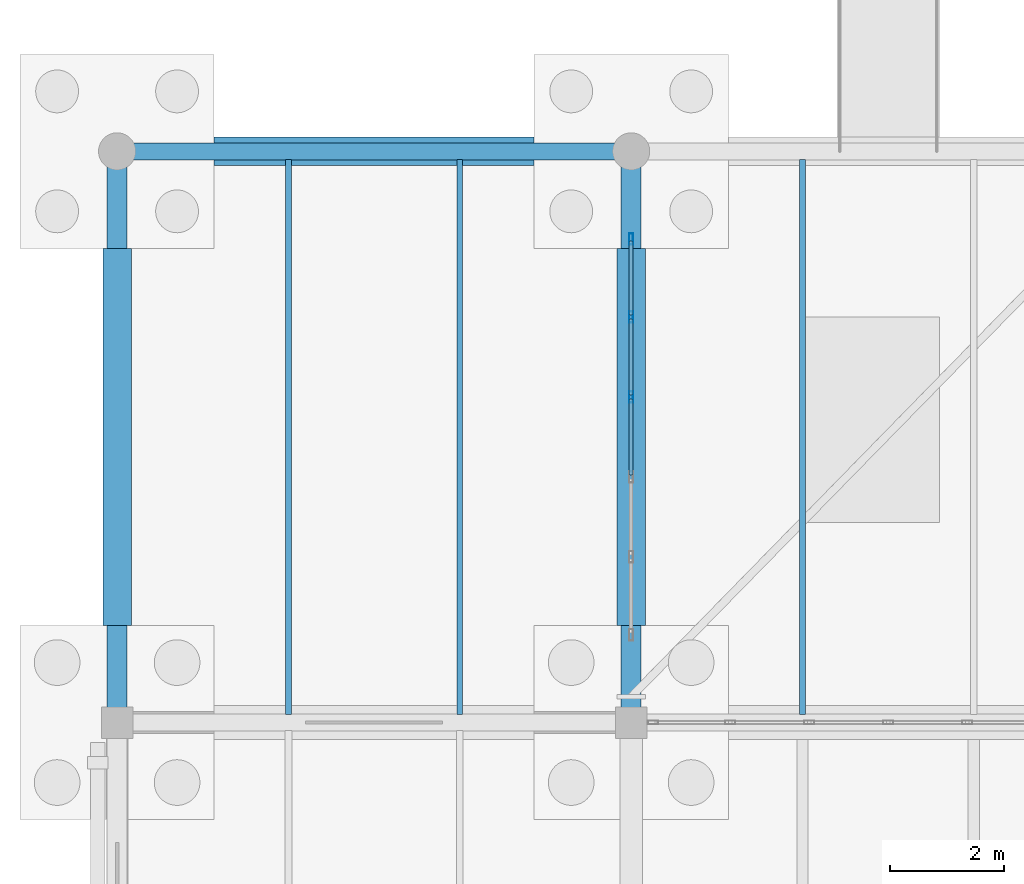
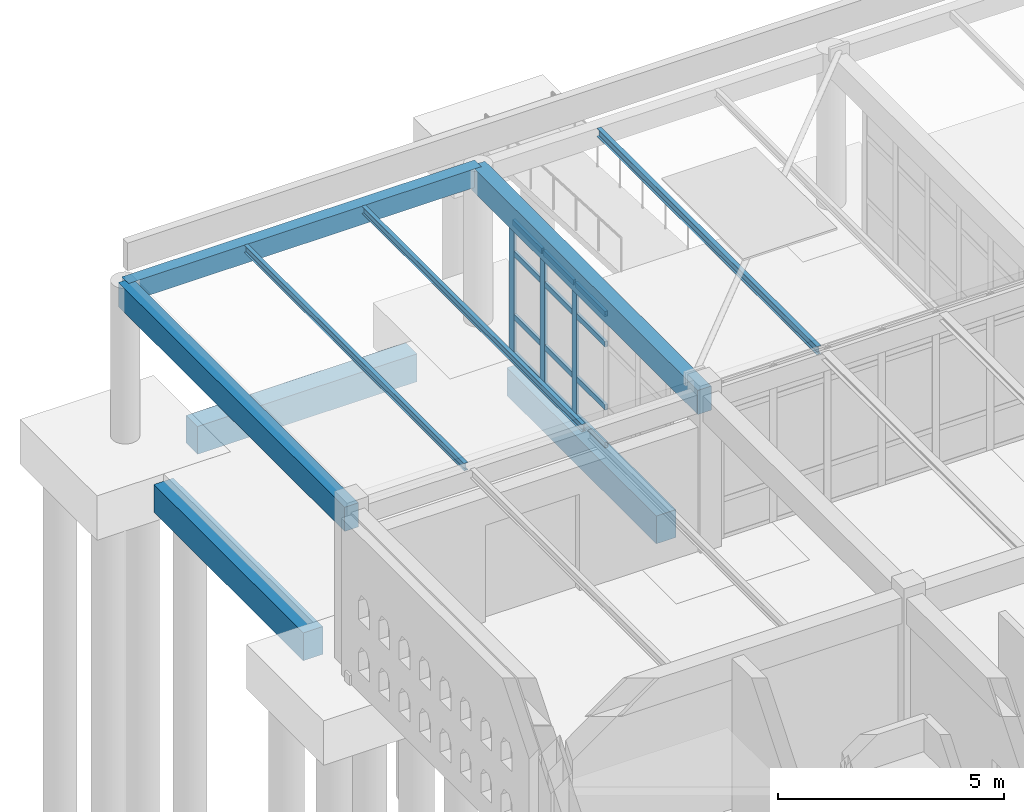
# One storey, part 69 of 186: 15 members, 9 beams, 1 element without a shape of its own.
"""IFC4 building model written with IfcOpenShell, lengths in metres."""

from ifc_helpers import new_model, si_unit, direction, frame, origin, origin_2d, place, context, subcontext, project, spatial, rectangle, hollow_rectangle, i_section, extrude, material, layer, layer_set, material_profile, profile_set, type_object, element, aggregate, save


model = new_model("IFC4")

# Units and contexts
model_context = context("Model", 3, precision=1e-05, world=origin(), true_north=direction((0.0, 1.0)))
body_context = subcontext(model_context, "Body", "Model", "MODEL_VIEW")
ifc_project = project(units=[si_unit("LENGTHUNIT", "METRE"), si_unit("AREAUNIT", "SQUARE_METRE"), si_unit("VOLUMEUNIT", "CUBIC_METRE"), si_unit("PLANEANGLEUNIT", "RADIAN"), si_unit("MASSUNIT", "GRAM", prefix="KILO")], contexts=[model_context])

# Site, building, storey
site_placement = place(None, origin())
site = spatial("IfcSite", under=ifc_project, at=site_placement, CompositionType="ELEMENT")
building_placement = place(site_placement, origin())
building = spatial("IfcBuilding", under=site, at=building_placement, Name="Ornek Quay Market", CompositionType="ELEMENT")
storey_placement = place(building_placement, origin())
storey = spatial("IfcBuildingStorey", under=building, at=storey_placement, Name="L00", CompositionType="ELEMENT", Elevation=0.0)

# Beams
ifc_material_1 = material(Name="Concrete C35/45", Category="concrete")
ifc_material_profile_1 = material_profile(ifc_material_1, rectangle(XDim=0.35009765625, YDim=0.64990234375, at=origin_2d()), Name="RC 350x650", Category="concrete")
ifc_profile_set_1 = profile_set([ifc_material_profile_1], Name="Concrete C35/45")
beam_type_1 = type_object("IfcBeamType", Name="BM-CONC-350x650", PredefinedType="BEAM", material=ifc_profile_set_1)
for number, where, z_axis, x_axis, name in (
    (1, (0.0, 110.0, 3.864990234375), (0.0, 1.0, 0.0), (-1.0, 0.0, 0.0), "Primary beam B-CN1-001"),
    (2, (9.0, 110.0, 3.864990234375), (0.0, 1.0, 0.0), (-1.0, 0.0, 0.0), "Primary beam B-CN1-002"),
):
    element("IfcBeam", number, at=place(storey_placement, frame(where, z_axis=z_axis, x_axis=x_axis)), inside=storey, type_object=beam_type_1, Name=name, PredefinedType="BEAM", context=body_context, shape_type="SweptSolid", body=[
        extrude(rectangle(XDim=0.35009765625, YDim=0.64990234375, at=origin_2d()), origin(), (0.0, 0.0, 1.0), 10.0),
    ])
ifc_material_profile_2 = material_profile(ifc_material_1, rectangle(XDim=0.5, YDim=0.75, at=origin_2d()), Name="RC 500x750", Category="concrete")
ifc_profile_set_2 = profile_set([ifc_material_profile_2], Name="Concrete C35/45")
beam_type_2 = type_object("IfcBeamType", Name="BM-GB-500x750", PredefinedType="BEAM", material=ifc_profile_set_2)
beam_1_placement = place(storey_placement, frame((1.699951171875, 120.0, -0.574951171875), z_axis=(1.0, 0.0, 0.0), x_axis=(0.0, 1.0, 0.0)))
element("IfcBeam", 3, at=beam_1_placement, inside=storey, type_object=beam_type_2, Name="Ground tie beam GB-048", PredefinedType="BEAM", context=body_context, shape_type="SweptSolid", body=[
    extrude(rectangle(XDim=0.5, YDim=0.75, at=origin_2d()), origin(), (0.0, 0.0, 1.0), 5.60009765625),
])
for number, where, z_axis, x_axis, name in (
    (4, (0.0, 111.699951171875, -0.574951171875), (0.0, 1.0, 0.0), (-1.0, 0.0, 0.0), "Ground tie beam GB-059"),
    (5, (9.0, 111.699951171875, -0.574951171875), (0.0, 1.0, 0.0), (-1.0, 0.0, 0.0), "Ground tie beam GB-065"),
):
    element("IfcBeam", number, at=place(storey_placement, frame(where, z_axis=z_axis, x_axis=x_axis)), inside=storey, type_object=beam_type_2, Name=name, PredefinedType="BEAM", context=body_context, shape_type="SweptSolid", body=[
        extrude(rectangle(XDim=0.5, YDim=0.75, at=origin_2d()), origin(), (0.0, 0.0, 1.0), 6.60009765625),
    ])
ifc_material_2 = material(Name="Steel S355", Category="steel")
ifc_material_profile_3 = material_profile(ifc_material_2, i_section(OverallWidth=0.10009765625, OverallDepth=0.199951171875, WebThickness=0.005615234375, FlangeThickness=0.008544921875, FilletRadius=0.011962890625, at=origin_2d()), Name="IPE 200", Category="steel")
ifc_profile_set_3 = profile_set([ifc_material_profile_3], Name="Steel S355")
beam_type_3 = type_object("IfcBeamType", Name="BM-STL-IPE200", PredefinedType="JOIST", material=ifc_profile_set_3)
for number, where, z_axis, x_axis, name in (
    (6, (3.0, 110.14208984375, 4.090087890625), (0.0, 1.0, 0.0), (-1.0, 0.0, 0.0), "Secondary joist SB-02-001"),
    (7, (6.0, 110.14208984375, 4.090087890625), (0.0, 1.0, 0.0), (-1.0, 0.0, 0.0), "Secondary joist SB-02-002"),
):
    element("IfcBeam", number, at=place(storey_placement, frame(where, z_axis=z_axis, x_axis=x_axis)), inside=storey, type_object=beam_type_3, Name=name, PredefinedType="JOIST", context=body_context, shape_type="SweptSolid", body=[
        extrude(i_section(OverallWidth=0.10009765625, OverallDepth=0.199951171875, WebThickness=0.005615234375, FlangeThickness=0.008544921875, FilletRadius=0.011962890625, at=origin_2d()), origin(), (0.0, 0.0, 1.0), 9.7158203125),
    ])
ifc_material_profile_4 = material_profile(ifc_material_2, i_section(OverallWidth=0.110107421875, OverallDepth=0.219970703125, WebThickness=0.005859375, FlangeThickness=0.00927734375, FilletRadius=0.011962890625, at=origin_2d()), Name="IPE 220", Category="steel")
ifc_profile_set_4 = profile_set([ifc_material_profile_4], Name="Steel S355")
beam_type_4 = type_object("IfcBeamType", Name="BM-STL-IPE220", PredefinedType="JOIST", material=ifc_profile_set_4)
beam_2_placement = place(storey_placement, frame((12.0, 110.14208984375, 4.080078125), z_axis=(0.0, 1.0, 0.0), x_axis=(-1.0, 0.0, 0.0)))
element("IfcBeam", 8, at=beam_2_placement, inside=storey, type_object=beam_type_4, Name="Secondary joist SB-03-001", PredefinedType="JOIST", context=body_context, shape_type="SweptSolid", body=[
    extrude(i_section(OverallWidth=0.110107421875, OverallDepth=0.219970703125, WebThickness=0.005859375, FlangeThickness=0.00927734375, FilletRadius=0.011962890625, at=origin_2d()), origin(), (0.0, 0.0, 1.0), 9.7158203125),
])
ifc_material_3 = material(Name="Concrete C40/50", Category="concrete")
ifc_material_profile_5 = material_profile(ifc_material_3, rectangle(XDim=0.300048828125, YDim=0.5, at=origin_2d()), Name="RC 300x500", Category="concrete")
ifc_profile_set_5 = profile_set([ifc_material_profile_5], Name="Concrete C40/50")
beam_type_5 = type_object("IfcBeamType", Name="BM-UMB-RIM-300x500", PredefinedType="SPANDREL", material=ifc_profile_set_5)
beam_3_placement = place(storey_placement, frame((0.0, 120.0, 3.93994140625), z_axis=(1.0, 0.0, 0.0), x_axis=(0.0, 1.0, 0.0)))
element("IfcBeam", 9, at=beam_3_placement, inside=storey, type_object=beam_type_5, Name="Primary beam B-UMR-007", PredefinedType="SPANDREL", context=body_context, shape_type="SweptSolid", body=[
    extrude(rectangle(XDim=0.300048828125, YDim=0.5, at=origin_2d()), origin(), (0.0, 0.0, 1.0), 9.0),
])

# Curtain wall, members
ifc_material_4 = material(Name="Anodised bronze aluminium and triple low-e glass", Category="aluminium")
ifc_layer = layer(ifc_material_4, 0.219970703125, Name="Anodised bronze aluminium and triple low-e glass", Category="aluminium")
ifc_layer_set = layer_set([ifc_layer], Name="Anodised bronze aluminium and triple low-e glass")
curtain_wall_type = type_object("IfcCurtainWallType", Name="CW-PORCH-MOD1500", PredefinedType="USERDEFINED", material=ifc_layer_set)
curtain_wall_placement = place(storey_placement, origin())
curtain_wall = element("IfcCurtainWall", 10, at=curtain_wall_placement, inside=storey, type_object=curtain_wall_type, Name="Curtain wall CW-147", ObjectType="CURTAIN WALL", PredefinedType="USERDEFINED")
ifc_material_5 = material(Name="Anodised aluminium 6063-T6", Category="aluminium")
ifc_material_profile_6 = material_profile(ifc_material_5, hollow_rectangle(XDim=0.070068359375, YDim=0.199951171875, WallThickness=0.0048828125, at=origin_2d()), Name="CW-MUL-70x200", Category="aluminium")
ifc_profile_set_6 = profile_set([ifc_material_profile_6], Name="Anodised aluminium 6063-T6")
member_type_1 = type_object("IfcMemberType", Name="CW-MUL-70x200", PredefinedType="MULLION", material=ifc_profile_set_6)
member_1_placement = place(storey_placement, frame((9.0, 115.699951171875, 0.0), z_axis=(0.0, 0.0, 1.0), x_axis=(-1.0, 0.0, 0.0)))
member_1 = element("IfcMember", 11, at=member_1_placement, type_object=member_type_1, Name="CW-147 mullion 4", PredefinedType="MULLION", context=body_context, shape_type="SweptSolid", body=[
    extrude(hollow_rectangle(XDim=0.070068359375, YDim=0.199951171875, WallThickness=0.0048828125, at=origin_2d()), origin(), (0.0, 0.0, 1.0), 3.60009765625),
])
member_2_placement = place(storey_placement, frame((9.0, 117.10009765625, 0.0), z_axis=(0.0, 0.0, 1.0), x_axis=(-1.0, 0.0, 0.0)))
member_2 = element("IfcMember", 12, at=member_2_placement, type_object=member_type_1, Name="CW-147 mullion 5", PredefinedType="MULLION", context=body_context, shape_type="SweptSolid", body=[
    extrude(hollow_rectangle(XDim=0.070068359375, YDim=0.199951171875, WallThickness=0.0048828125, at=origin_2d()), origin(), (0.0, 0.0, 1.0), 3.60009765625),
])
member_3_placement = place(storey_placement, frame((9.0, 118.465087890625, 0.0), z_axis=(0.0, 0.0, 1.0), x_axis=(-1.0, 0.0, 0.0)))
member_3 = element("IfcMember", 13, at=member_3_placement, type_object=member_type_1, Name="CW-147 mullion 6", PredefinedType="MULLION", context=body_context, shape_type="SweptSolid", body=[
    extrude(hollow_rectangle(XDim=0.070068359375, YDim=0.199951171875, WallThickness=0.0048828125, at=origin_2d()), origin(), (0.0, 0.0, 1.0), 3.60009765625),
])
ifc_material_profile_7 = material_profile(ifc_material_5, hollow_rectangle(XDim=0.070068359375, YDim=0.14990234375, WallThickness=0.0048828125, at=origin_2d()), Name="CW-TRN-70x150", Category="aluminium")
ifc_profile_set_7 = profile_set([ifc_material_profile_7], Name="Anodised aluminium 6063-T6")
member_type_2 = type_object("IfcMemberType", Name="CW-TRN-70x150", PredefinedType="USERDEFINED", material=ifc_profile_set_7)
member_4_placement = place(storey_placement, frame((9.0, 114.3349609375, 0.034912109375), z_axis=(0.0, 1.0, 0.0), x_axis=(-1.0, 0.0, 0.0)))
member_4 = element("IfcMember", 14, at=member_4_placement, type_object=member_type_2, Name="CW-147 transom 3.1", ObjectType="TRANSOM", PredefinedType="USERDEFINED", context=body_context, shape_type="SweptSolid", body=[
    extrude(hollow_rectangle(XDim=0.070068359375, YDim=0.14990234375, WallThickness=0.0048828125, at=origin_2d()), origin(), (0.0, 0.0, 1.0), 1.330078125),
])
member_5_placement = place(storey_placement, frame((9.0, 114.3349609375, 1.050048828125), z_axis=(0.0, 1.0, 0.0), x_axis=(-1.0, 0.0, 0.0)))
member_5 = element("IfcMember", 15, at=member_5_placement, type_object=member_type_2, Name="CW-147 transom 3.2", ObjectType="TRANSOM", PredefinedType="USERDEFINED", context=body_context, shape_type="SweptSolid", body=[
    extrude(hollow_rectangle(XDim=0.070068359375, YDim=0.14990234375, WallThickness=0.0048828125, at=origin_2d()), origin(), (0.0, 0.0, 1.0), 1.330078125),
])
member_6_placement = place(storey_placement, frame((9.0, 114.3349609375, 2.75), z_axis=(0.0, 1.0, 0.0), x_axis=(-1.0, 0.0, 0.0)))
member_6 = element("IfcMember", 16, at=member_6_placement, type_object=member_type_2, Name="CW-147 transom 3.3", ObjectType="TRANSOM", PredefinedType="USERDEFINED", context=body_context, shape_type="SweptSolid", body=[
    extrude(hollow_rectangle(XDim=0.070068359375, YDim=0.14990234375, WallThickness=0.0048828125, at=origin_2d()), origin(), (0.0, 0.0, 1.0), 1.330078125),
])
member_7_placement = place(storey_placement, frame((9.0, 114.3349609375, 3.56494140625), z_axis=(0.0, 1.0, 0.0), x_axis=(-1.0, 0.0, 0.0)))
member_7 = element("IfcMember", 17, at=member_7_placement, type_object=member_type_2, Name="CW-147 transom 3.4", ObjectType="TRANSOM", PredefinedType="USERDEFINED", context=body_context, shape_type="SweptSolid", body=[
    extrude(hollow_rectangle(XDim=0.070068359375, YDim=0.14990234375, WallThickness=0.0048828125, at=origin_2d()), origin(), (0.0, 0.0, 1.0), 1.330078125),
])
member_8_placement = place(storey_placement, frame((9.0, 115.735107421875, 0.034912109375), z_axis=(0.0, 1.0, 0.0), x_axis=(-1.0, 0.0, 0.0)))
member_8 = element("IfcMember", 18, at=member_8_placement, type_object=member_type_2, Name="CW-147 transom 4.1", ObjectType="TRANSOM", PredefinedType="USERDEFINED", context=body_context, shape_type="SweptSolid", body=[
    extrude(hollow_rectangle(XDim=0.070068359375, YDim=0.14990234375, WallThickness=0.0048828125, at=origin_2d()), origin(), (0.0, 0.0, 1.0), 1.329833984375),
])
member_9_placement = place(storey_placement, frame((9.0, 115.735107421875, 1.050048828125), z_axis=(0.0, 1.0, 0.0), x_axis=(-1.0, 0.0, 0.0)))
member_9 = element("IfcMember", 19, at=member_9_placement, type_object=member_type_2, Name="CW-147 transom 4.2", ObjectType="TRANSOM", PredefinedType="USERDEFINED", context=body_context, shape_type="SweptSolid", body=[
    extrude(hollow_rectangle(XDim=0.070068359375, YDim=0.14990234375, WallThickness=0.0048828125, at=origin_2d()), origin(), (0.0, 0.0, 1.0), 1.329833984375),
])
member_10_placement = place(storey_placement, frame((9.0, 115.735107421875, 2.75), z_axis=(0.0, 1.0, 0.0), x_axis=(-1.0, 0.0, 0.0)))
member_10 = element("IfcMember", 20, at=member_10_placement, type_object=member_type_2, Name="CW-147 transom 4.3", ObjectType="TRANSOM", PredefinedType="USERDEFINED", context=body_context, shape_type="SweptSolid", body=[
    extrude(hollow_rectangle(XDim=0.070068359375, YDim=0.14990234375, WallThickness=0.0048828125, at=origin_2d()), origin(), (0.0, 0.0, 1.0), 1.329833984375),
])
member_11_placement = place(storey_placement, frame((9.0, 115.735107421875, 3.56494140625), z_axis=(0.0, 1.0, 0.0), x_axis=(-1.0, 0.0, 0.0)))
member_11 = element("IfcMember", 21, at=member_11_placement, type_object=member_type_2, Name="CW-147 transom 4.4", ObjectType="TRANSOM", PredefinedType="USERDEFINED", context=body_context, shape_type="SweptSolid", body=[
    extrude(hollow_rectangle(XDim=0.070068359375, YDim=0.14990234375, WallThickness=0.0048828125, at=origin_2d()), origin(), (0.0, 0.0, 1.0), 1.329833984375),
])
member_12_placement = place(storey_placement, frame((9.0, 117.135009765625, 0.034912109375), z_axis=(0.0, 1.0, 0.0), x_axis=(-1.0, 0.0, 0.0)))
member_12 = element("IfcMember", 22, at=member_12_placement, type_object=member_type_2, Name="CW-147 transom 5.1", ObjectType="TRANSOM", PredefinedType="USERDEFINED", context=body_context, shape_type="SweptSolid", body=[
    extrude(hollow_rectangle(XDim=0.070068359375, YDim=0.14990234375, WallThickness=0.0048828125, at=origin_2d()), origin(), (0.0, 0.0, 1.0), 1.294921875),
])
member_13_placement = place(storey_placement, frame((9.0, 117.135009765625, 1.050048828125), z_axis=(0.0, 1.0, 0.0), x_axis=(-1.0, 0.0, 0.0)))
member_13 = element("IfcMember", 23, at=member_13_placement, type_object=member_type_2, Name="CW-147 transom 5.2", ObjectType="TRANSOM", PredefinedType="USERDEFINED", context=body_context, shape_type="SweptSolid", body=[
    extrude(hollow_rectangle(XDim=0.070068359375, YDim=0.14990234375, WallThickness=0.0048828125, at=origin_2d()), origin(), (0.0, 0.0, 1.0), 1.294921875),
])
member_14_placement = place(storey_placement, frame((9.0, 117.135009765625, 2.75), z_axis=(0.0, 1.0, 0.0), x_axis=(-1.0, 0.0, 0.0)))
member_14 = element("IfcMember", 24, at=member_14_placement, type_object=member_type_2, Name="CW-147 transom 5.3", ObjectType="TRANSOM", PredefinedType="USERDEFINED", context=body_context, shape_type="SweptSolid", body=[
    extrude(hollow_rectangle(XDim=0.070068359375, YDim=0.14990234375, WallThickness=0.0048828125, at=origin_2d()), origin(), (0.0, 0.0, 1.0), 1.294921875),
])
member_15_placement = place(storey_placement, frame((9.0, 117.135009765625, 3.56494140625), z_axis=(0.0, 1.0, 0.0), x_axis=(-1.0, 0.0, 0.0)))
member_15 = element("IfcMember", 25, at=member_15_placement, type_object=member_type_2, Name="CW-147 transom 5.4", ObjectType="TRANSOM", PredefinedType="USERDEFINED", context=body_context, shape_type="SweptSolid", body=[
    extrude(hollow_rectangle(XDim=0.070068359375, YDim=0.14990234375, WallThickness=0.0048828125, at=origin_2d()), origin(), (0.0, 0.0, 1.0), 1.294921875),
])
aggregate(curtain_wall, [member_1, member_2, member_3, member_4, member_5, member_6, member_7, member_8, member_9, member_10, member_11, member_12, member_13, member_14, member_15])

save(model, "model.ifc")
